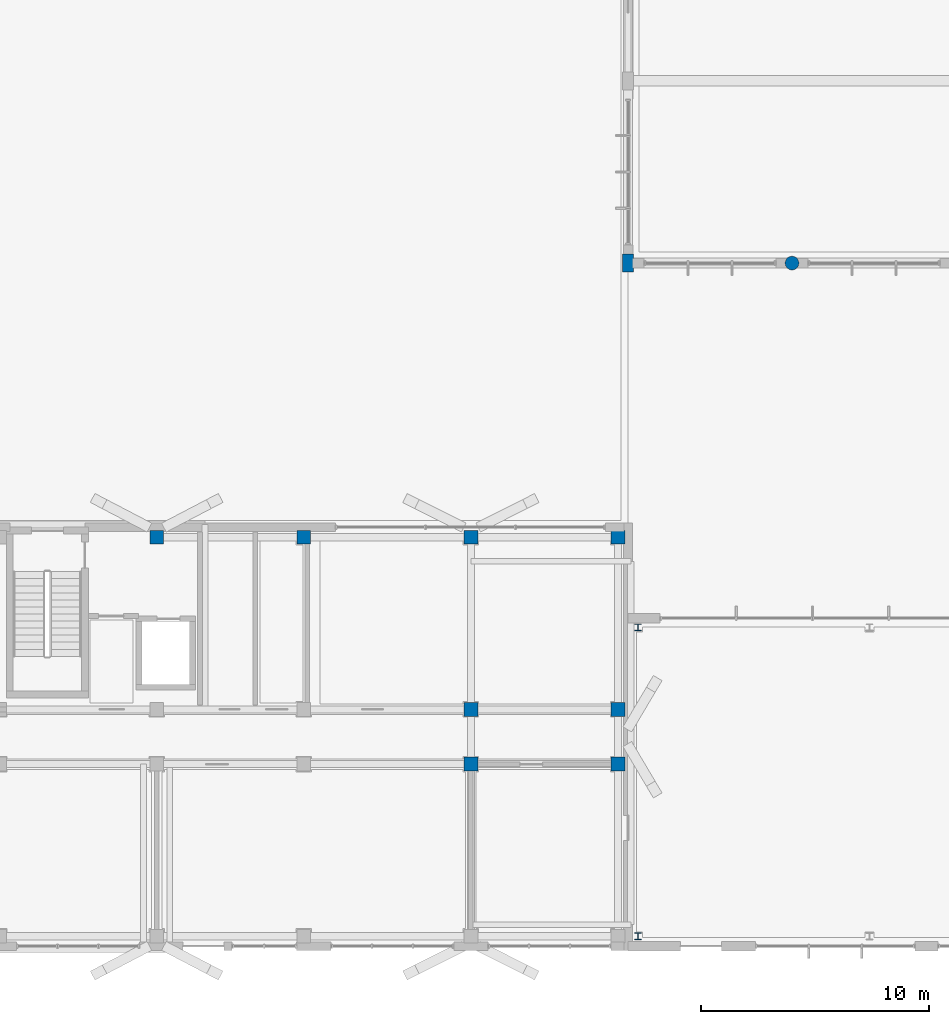
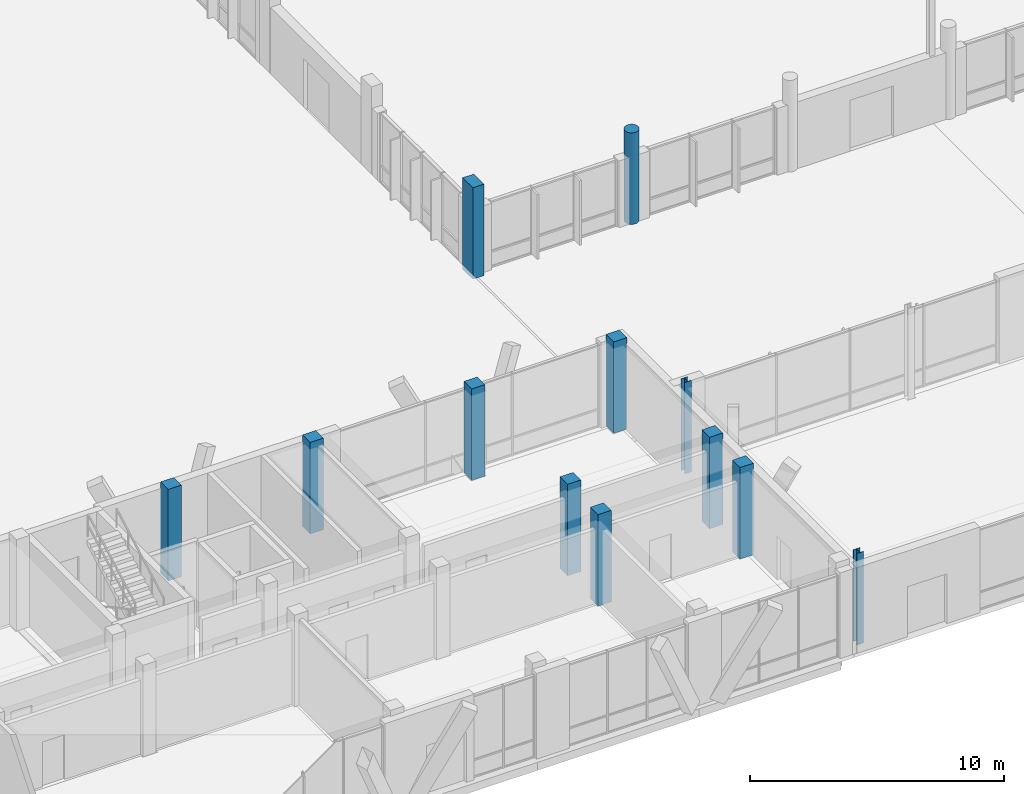
# One storey, part 2 of 233: 12 columns.
"""IFC4 building model written with IfcOpenShell, lengths in metres."""

from ifc_helpers import new_model, si_unit, direction, frame, origin, origin_2d, place, context, subcontext, project, spatial, rectangle, circle, i_section, extrude, material, material_profile, profile_set, type_object, element, save


model = new_model("IFC4")

# Units and contexts
model_context = context("Model", 3, precision=1e-05, world=origin(), true_north=direction((0.0, 1.0)))
body_context = subcontext(model_context, "Body", "Model", "MODEL_VIEW")
ifc_project = project(units=[si_unit("LENGTHUNIT", "METRE"), si_unit("AREAUNIT", "SQUARE_METRE"), si_unit("VOLUMEUNIT", "CUBIC_METRE"), si_unit("PLANEANGLEUNIT", "RADIAN"), si_unit("MASSUNIT", "GRAM", prefix="KILO")], contexts=[model_context])

# Site, building, storey
site_placement = place(None, origin())
site = spatial("IfcSite", under=ifc_project, at=site_placement, CompositionType="ELEMENT")
building_placement = place(site_placement, origin())
building = spatial("IfcBuilding", under=site, at=building_placement, Name="Zavelmont Quarter", CompositionType="ELEMENT")
storey_placement = place(building_placement, origin())
storey = spatial("IfcBuildingStorey", under=building, at=storey_placement, Name="L00", CompositionType="ELEMENT", Elevation=0.0)

# Columns
ifc_material_1 = material(Name="Concrete C40/50", Category="concrete")
ifc_material_profile_1 = material_profile(ifc_material_1, rectangle(XDim=0.60009765625, YDim=0.60009765625, at=origin_2d()), Name="RC600X600")
ifc_profile_set_1 = profile_set([ifc_material_profile_1], Name="Concrete C40/50")
column_type_1 = type_object("IfcColumnType", Name="CL01", PredefinedType="COLUMN", material=ifc_profile_set_1)
for number, where, z_axis, x_axis, name in (
    (1, (34.5, 17.9599609375, 0.0), (0.0, 0.0, 1.0), (1.0, 0.0, 0.0), "L00 column CL01 at 6/D"),
    (2, (40.9599609375, 17.9599609375, 0.0), (0.0, 0.0, 1.0), (1.0, 0.0, 0.0), "L00 column CL01 at 7/D"),
    (3, (48.300048828125, 8.0, 0.0), (0.0, 0.0, 1.0), (1.0, 0.0, 0.0), "L00 column CL01 at 8/B"),
    (4, (48.300048828125, 10.39990234375, 0.0), (0.0, 0.0, 1.0), (1.0, 0.0, 0.0), "L00 column CL01 at 8/C"),
    (5, (48.300048828125, 17.9599609375, 0.0), (0.0, 0.0, 1.0), (1.0, 0.0, 0.0), "L00 column CL01 at 8/D"),
    (6, (54.760009765625, 8.0, 0.0), (0.0, 0.0, 1.0), (1.0, 0.0, 0.0), "L00 column CL01 at 9/B"),
    (7, (54.760009765625, 10.39990234375, 0.0), (0.0, 0.0, 1.0), (1.0, 0.0, 0.0), "L00 column CL01 at 9/C"),
    (8, (54.760009765625, 17.9599609375, 0.0), (0.0, 0.0, 1.0), (1.0, 0.0, 0.0), "L00 column CL01 at 9/D"),
):
    element("IfcColumn", number, at=place(storey_placement, frame(where, z_axis=z_axis, x_axis=x_axis)), inside=storey, type_object=column_type_1, Name=name, PredefinedType="COLUMN", context=body_context, shape_type="SweptSolid", body=[
        extrude(rectangle(XDim=0.60009765625, YDim=0.60009765625, at=origin_2d()), origin(), (0.0, 0.0, 1.0), 4.39990234375),
    ])
ifc_material_profile_2 = material_profile(ifc_material_1, rectangle(XDim=0.5, YDim=0.800048828125, at=origin_2d()), Name="RC500X800")
ifc_profile_set_2 = profile_set([ifc_material_profile_2], Name="Concrete C40/50")
column_type_2 = type_object("IfcColumnType", Name="CL07", PredefinedType="COLUMN", material=ifc_profile_set_2)
column_1_placement = place(storey_placement, frame((55.199951171875, 30.0, 0.0), z_axis=(0.0, 0.0, 1.0), x_axis=(1.0, 0.0, 0.0)))
element("IfcColumn", 9, at=column_1_placement, inside=storey, type_object=column_type_2, Name="L00 column CL07 at 9/F", PredefinedType="COLUMN", context=body_context, shape_type="SweptSolid", body=[
    extrude(rectangle(XDim=0.5, YDim=0.800048828125, at=origin_2d()), origin(), (0.0, 0.0, 1.0), 4.39990234375),
])
ifc_material_profile_3 = material_profile(ifc_material_1, circle(Radius=0.300048828125, at=origin_2d()), Name="CHD600")
ifc_profile_set_3 = profile_set([ifc_material_profile_3], Name="Concrete C40/50")
column_type_3 = type_object("IfcColumnType", Name="CL08", PredefinedType="COLUMN", material=ifc_profile_set_3)
column_2_placement = place(storey_placement, frame((62.39990234375, 30.0, 0.0), z_axis=(0.0, 0.0, 1.0), x_axis=(1.0, 0.0, 0.0)))
element("IfcColumn", 10, at=column_2_placement, inside=storey, type_object=column_type_3, Name="L00 column CL08 at 10/F", PredefinedType="COLUMN", context=body_context, shape_type="SweptSolid", body=[
    extrude(circle(Radius=0.300048828125, at=origin_2d()), origin(), (0.0, 0.0, 1.0), 4.39990234375),
])
ifc_material_2 = material(Name="Steel S355", Category="steel")
ifc_material_profile_4 = material_profile(ifc_material_2, i_section(OverallWidth=0.300048828125, OverallDepth=0.300048828125, WebThickness=0.010986328125, FlangeThickness=0.01904296875, at=origin_2d()), Name="HEB 300")
ifc_profile_set_4 = profile_set([ifc_material_profile_4], Name="Steel S355")
column_type_4 = type_object("IfcColumnType", Name="CL10", PredefinedType="COLUMN", material=ifc_profile_set_4)
for number, where, z_axis, x_axis, name in (
    (11, (55.639892578125, 0.43994140625, 0.0), (0.0, 0.0, 1.0), (1.0, 0.0, 0.0), "L00 column CL10 at 9/A"),
    (12, (55.639892578125, 14.0, 0.0), (0.0, 0.0, 1.0), (1.0, 0.0, 0.0), "L00 column CL10 at 9/C"),
):
    element("IfcColumn", number, at=place(storey_placement, frame(where, z_axis=z_axis, x_axis=x_axis)), inside=storey, type_object=column_type_4, Name=name, PredefinedType="COLUMN", context=body_context, shape_type="SweptSolid", body=[
        extrude(i_section(OverallWidth=0.300048828125, OverallDepth=0.300048828125, WebThickness=0.010986328125, FlangeThickness=0.01904296875, at=origin_2d()), origin(), (0.0, 0.0, 1.0), 4.39990234375),
    ])

save(model, "model.ifc")
